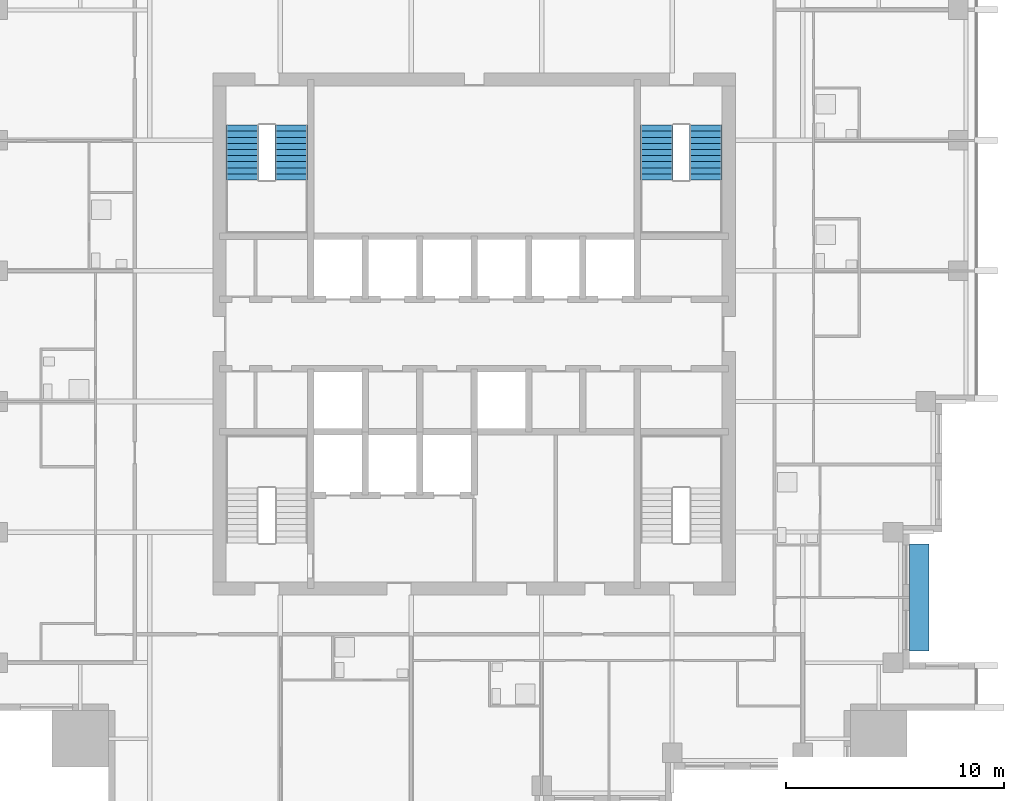
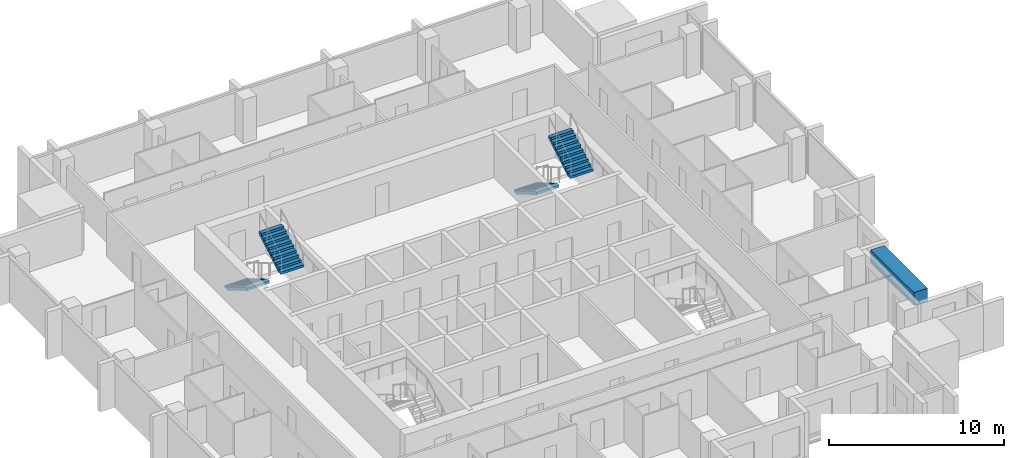
# One storey, part 8 of 10: 4 stair flights, 1 discrete accessory, 2 elements without a shape of their own.
"""IFC4 building model written with IfcOpenShell, lengths in metres."""

import ifcopenshell
import ifcopenshell.guid

model = None  # the IFC model being written
_history = None  # IfcOwnerHistory: only IFC2X3 demands one
_inside = {}  # id of a spatial element -> (the spatial element, [elements in it])
_under = {}  # id of a project, library or spatial element -> (it, [spatial elements below it])
_declared = {}  # id of a project -> (the project, [libraries it declares])
_typed = {}  # id of a type object -> (the type object, [elements of that type])
_made_of = {}  # id of a material, layer set ... -> (it, [elements and type objects made of it])


def new_model(schema):
    """Start an empty IFC model of exactly this schema.

    Asked for "IFC4X3", IfcOpenShell would pick the latest addendum, in which some entities
    have other attributes; the version numbers below select the first issue.
    IFC2X3 requires an IfcOwnerHistory on every rooted entity: one is made here for all.
    """
    global model, _history
    if schema == "IFC4X3":
        model = ifcopenshell.file(schema_version=(4, 3, 0, 0))
    else:
        model = ifcopenshell.file(schema=schema)
    _inside.clear()
    _under.clear()
    _declared.clear()
    _typed.clear()
    _made_of.clear()
    _history = None
    if model.schema == "IFC2X3":
        org = make("IfcOrganization", Name="unknown")
        user = make(
            "IfcPersonAndOrganization",
            ThePerson=make("IfcPerson", FamilyName="unknown"),
            TheOrganization=org,
        )
        app = make(
            "IfcApplication",
            ApplicationDeveloper=org,
            Version="unknown",
            ApplicationFullName="unknown",
            ApplicationIdentifier="unknown",
        )
        _history = make(
            "IfcOwnerHistory",
            OwningUser=user,
            OwningApplication=app,
            ChangeAction="ADDED",
            CreationDate=0,
        )
    return model


def make(cls, **values):
    """One entity of the class cls with the attributes given. An attribute that is None is left unset."""
    return model.create_entity(
        cls, **{name: value for name, value in values.items() if value is not None}
    )


def rooted(cls, **values):
    """An entity with a GlobalId (a new one), such as an element, a storey or a relation."""
    return make(cls, GlobalId=ifcopenshell.guid.new(), OwnerHistory=_history, **values)


def si_unit(unit_type, name, prefix=None):
    """IfcSIUnit, for example si_unit("LENGTHUNIT", "METRE", prefix="MILLI")."""
    return make("IfcSIUnit", UnitType=unit_type, Prefix=prefix, Name=name)


def assignment(units):
    """IfcUnitAssignment: the units of a project."""
    return None if units is None else make("IfcUnitAssignment", Units=units)


def point(xyz):
    """IfcCartesianPoint."""
    return None if xyz is None else make("IfcCartesianPoint", Coordinates=xyz)


def direction(xyz):
    """IfcDirection."""
    return None if xyz is None else make("IfcDirection", DirectionRatios=xyz)


def frame(location, z_axis=None, x_axis=None):
    """IfcAxis2Placement3D, a coordinate frame: its origin and axes. An axis left out is left unset."""
    return make(
        "IfcAxis2Placement3D",
        Location=point(location),
        Axis=direction(z_axis),
        RefDirection=direction(x_axis),
    )


def frame_2d(location, x_axis=None):
    """IfcAxis2Placement2D, a coordinate frame in the plane: its origin and x axis."""
    return make(
        "IfcAxis2Placement2D", Location=point(location), RefDirection=direction(x_axis)
    )


def origin():
    """The frame at (0, 0, 0) with its axes left unset."""
    return frame((0.0, 0.0, 0.0))


def origin_2d():
    """The frame at (0, 0) in the plane with its x axis left unset."""
    return frame_2d((0.0, 0.0))


def place(relative_to, where):
    """IfcLocalPlacement: puts the frame where relative to a parent placement (None: the world)."""
    return make(
        "IfcLocalPlacement", PlacementRelTo=relative_to, RelativePlacement=where
    )


def context(
    kind, dimensions, precision=None, world=None, true_north=None, identifier=None
):
    """IfcGeometricRepresentationContext, for example the 3D "Model" context."""
    return make(
        "IfcGeometricRepresentationContext",
        ContextIdentifier=identifier,
        ContextType=kind,
        CoordinateSpaceDimension=dimensions,
        Precision=precision,
        WorldCoordinateSystem=world,
        TrueNorth=true_north,
    )


def subcontext(parent, identifier, kind, view, scale=None):
    """IfcGeometricRepresentationSubContext, for example "Body" below "Model"."""
    return make(
        "IfcGeometricRepresentationSubContext",
        ContextIdentifier=identifier,
        ContextType=kind,
        ParentContext=parent,
        TargetScale=scale,
        TargetView=view,
    )


def project(units=None, contexts=None):
    """IfcProject with its units and contexts."""
    return rooted(
        "IfcProject",
        Name="project",
        RepresentationContexts=contexts,
        UnitsInContext=assignment(units),
    )


def spatial(cls, under=None, at=None, **own):
    """A site, building, storey or space (cls), placed at a placement, below another one or the project."""
    s = rooted(cls, ObjectPlacement=at, **own)
    if under is not None:
        _under.setdefault(under.id(), (under, []))[1].append(s)
    return s


def polyline(points):
    """IfcPolyline through the points."""
    return make("IfcPolyline", Points=[point(p) for p in points])


def profile(cls, at=None, kind="AREA", **sizes):
    """A parametric profile (cls). Its sizes go by their IFC names, for example OverallWidth=200.0."""
    return make(cls, ProfileType=kind, Position=at, **sizes)


def rectangle(**sizes):
    """IfcRectangleProfileDef."""
    return profile("IfcRectangleProfileDef", **sizes)


def outline(outer, holes=None, kind="AREA"):
    """IfcArbitraryClosedProfileDef: a profile drawn as a closed curve; with holes, ...WithVoids."""
    if holes is None:
        return make("IfcArbitraryClosedProfileDef", ProfileType=kind, OuterCurve=outer)
    return make(
        "IfcArbitraryProfileDefWithVoids",
        ProfileType=kind,
        OuterCurve=outer,
        InnerCurves=holes,
    )


def extrude(swept, where, along, depth):
    """IfcExtrudedAreaSolid: the profile swept, set in the frame where, extruded along a direction by depth."""
    return make(
        "IfcExtrudedAreaSolid",
        SweptArea=swept,
        Position=where,
        ExtrudedDirection=direction(along),
        Depth=depth,
    )


def shape(context_of_items, identifier, shape_type, items):
    """IfcShapeRepresentation: the items that make up one representation, for example the "Body"."""
    return make(
        "IfcShapeRepresentation",
        ContextOfItems=context_of_items,
        RepresentationIdentifier=identifier,
        RepresentationType=shape_type,
        Items=items,
    )


def material(Name=None, Category=None):
    """IfcMaterial."""
    return make("IfcMaterial", Name=Name, Category=Category)


def made_of(thing, what):
    """Note that an element or type object is made of a material, layer set ...; save() writes the relation."""
    if what is not None:
        _made_of.setdefault(what.id(), (what, []))[1].append(thing)
    return thing


def type_object(cls, material=None, **own):
    """A type object (cls), such as IfcWallType, which elements share."""
    return made_of(rooted(cls, **own), material)


def element(
    cls,
    number,
    at=None,
    inside=None,
    cuts=None,
    type_object=None,
    material=None,
    context=None,
    identifier="Body",
    shape_type=None,
    held_by="IfcProductDefinitionShape",
    body=None,
    shapes=None,
    **own,
):
    """One element of the class cls, such as IfcWall. Its Tag is "e" and its number.

    at: its placement. inside: the storey or other place that contains it. cuts: it is an
    opening in that element (IfcRelVoidsElement). A single representation is given by context,
    identifier, shape_type and body (its items); several are given by shapes. held_by: the class
    of the entity that holds the representations. save() writes the other relations.
    """
    e = rooted(cls, Tag="e%d" % number, ObjectPlacement=at, **own)
    if body is not None:
        shapes = [shape(context, identifier, shape_type, body)]
    if shapes is not None:
        e.Representation = make(held_by, Representations=shapes)
    if inside is not None:
        _inside.setdefault(inside.id(), (inside, []))[1].append(e)
    if cuts is not None:
        rooted(
            "IfcRelVoidsElement", RelatingBuildingElement=cuts, RelatedOpeningElement=e
        )
    if type_object is not None:
        _typed.setdefault(type_object.id(), (type_object, []))[1].append(e)
    return made_of(e, material)


def aggregate(whole, parts):
    """IfcRelAggregates: a whole, such as a stair, and the parts it consists of."""
    return rooted("IfcRelAggregates", RelatingObject=whole, RelatedObjects=parts)


def save(model, path):
    """Write the relations noted so far, then the file.

    IfcRelAggregates (storeys below a building ...), IfcRelContainedInSpatialStructure (elements
    in a storey), IfcRelDefinesByType, IfcRelAssociatesMaterial and IfcRelDeclares: one each for
    every whole, place, type object, material and project.
    """
    for whole, parts in _under.values():
        aggregate(whole, parts)
    for where, things in _inside.values():
        rooted(
            "IfcRelContainedInSpatialStructure",
            RelatedElements=things,
            RelatingStructure=where,
        )
    for kind, things in _typed.values():
        rooted("IfcRelDefinesByType", RelatedObjects=things, RelatingType=kind)
    for what, things in _made_of.values():
        rooted("IfcRelAssociatesMaterial", RelatedObjects=things, RelatingMaterial=what)
    for by, libraries in _declared.values():
        rooted("IfcRelDeclares", RelatingContext=by, RelatedDefinitions=libraries)
    model.write(path)


model = new_model("IFC4")

# Units and contexts
model_context = context("Model", 3, precision=1e-05, world=origin(), true_north=direction((0.0, 1.0)))
body_context = subcontext(model_context, "Body", "Model", "MODEL_VIEW")
ifc_project = project(units=[si_unit("LENGTHUNIT", "METRE"), si_unit("AREAUNIT", "SQUARE_METRE"), si_unit("VOLUMEUNIT", "CUBIC_METRE"), si_unit("PLANEANGLEUNIT", "RADIAN"), si_unit("MASSUNIT", "GRAM", prefix="KILO")], contexts=[model_context])

# Site, building, storey
site_placement = place(None, origin())
site = spatial("IfcSite", under=ifc_project, at=site_placement, CompositionType="ELEMENT")
building_placement = place(site_placement, origin())
building = spatial("IfcBuilding", under=site, at=building_placement, Name="Amberfall Residences", CompositionType="ELEMENT")
storey_placement = place(building_placement, frame((0.0, 0.0, 190.300048828125)))
storey = spatial("IfcBuildingStorey", under=building, at=storey_placement, Name="L50", CompositionType="ELEMENT", Elevation=190.300048828125)

# Stair, stair flights
ifc_material = material(Name="Concrete C40", Category="concrete")
stair_type = type_object("IfcStairType", Name="Exit stair 20 risers 165.0 mm", PredefinedType="HALF_TURN_STAIR", material=ifc_material)
stair_1_placement = place(storey_placement, origin())
stair_1 = element("IfcStair", 1, at=stair_1_placement, inside=storey, type_object=stair_type, Name="L50 Exit stair 3", PredefinedType="HALF_TURN_STAIR")
stair_flight_type = type_object("IfcStairFlightType", Name="Stair flight 10 risers 165.0 mm", PredefinedType="STRAIGHT", material=ifc_material)
stair_flight_1_placement = place(storey_placement, frame((82.89990234375, 55.10009765625, 0.0), z_axis=(0.0, 0.0, 1.0), x_axis=(0.0, -1.0, 0.0)))
stair_flight_1 = element("IfcStairFlight", 2, at=stair_flight_1_placement, type_object=stair_flight_type, Name="ST3 flight 1", NumberOfRisers=10, NumberOfTreads=9, PredefinedType="STRAIGHT", RiserHeight=0.165, TreadLength=0.28, context=body_context, shape_type="SweptSolid", body=[
    extrude(outline(polyline([(0.0, 0.0), (0.0, 0.1650390625), (0.280029296875, 0.1650390625), (0.280029296875, 0.330078125), (0.56005859375, 0.330078125), (0.56005859375, 0.4951171875), (0.840087890625, 0.4951171875), (0.840087890625, 0.659912109375), (1.1201171875, 0.659912109375), (1.1201171875, 0.824951171875), (1.39990234375, 0.824951171875), (1.39990234375, 0.989990234375), (1.679931640625, 0.989990234375), (1.679931640625, 1.155029296875), (1.9599609375, 1.155029296875), (1.9599609375, 1.320068359375), (2.239990234375, 1.320068359375), (2.239990234375, 1.485107421875), (2.52001953125, 1.485107421875), (2.52001953125, 1.64990234375), (2.52001953125, 1.31103515625), (0.295166015625, 0.0), (0.0, 0.0)])), frame((0.0, 0.75, 0.0), z_axis=(0.0, -1.0, 0.0), x_axis=(1.0, 0.0, 0.0)), (0.0, 0.0, 1.0), 1.5),
])
stair_flight_2_placement = place(storey_placement, frame((85.14990234375, 52.580078125, 1.64990234375), z_axis=(0.0, 0.0, 1.0), x_axis=(0.0, 1.0, 0.0)))
stair_flight_2 = element("IfcStairFlight", 3, at=stair_flight_2_placement, type_object=stair_flight_type, Name="ST3 flight 2", NumberOfRisers=10, NumberOfTreads=9, PredefinedType="STRAIGHT", RiserHeight=0.165, TreadLength=0.28, context=body_context, shape_type="SweptSolid", body=[
    extrude(outline(polyline([(0.0, 0.0), (0.0, 0.1650390625), (0.280029296875, 0.1650390625), (0.280029296875, 0.330078125), (0.56005859375, 0.330078125), (0.56005859375, 0.4951171875), (0.840087890625, 0.4951171875), (0.840087890625, 0.659912109375), (1.1201171875, 0.659912109375), (1.1201171875, 0.824951171875), (1.39990234375, 0.824951171875), (1.39990234375, 0.989990234375), (1.679931640625, 0.989990234375), (1.679931640625, 1.155029296875), (1.9599609375, 1.155029296875), (1.9599609375, 1.320068359375), (2.239990234375, 1.320068359375), (2.239990234375, 1.485107421875), (2.52001953125, 1.485107421875), (2.52001953125, 1.64990234375), (2.52001953125, 1.31103515625), (0.295166015625, 0.0), (0.0, 0.0)])), frame((0.0, 0.75, 0.0), z_axis=(0.0, -1.0, 0.0), x_axis=(1.0, 0.0, 0.0)), (0.0, 0.0, 1.0), 1.5),
])
aggregate(stair_1, [stair_flight_1, stair_flight_2])

stair_2_placement = place(storey_placement, origin())
stair_2 = element("IfcStair", 4, at=stair_2_placement, inside=storey, type_object=stair_type, Name="L50 Exit stair 4", PredefinedType="HALF_TURN_STAIR")
stair_flight_3_placement = place(storey_placement, frame((63.85009765625, 55.10009765625, 0.0), z_axis=(0.0, 0.0, 1.0), x_axis=(0.0, -1.0, 0.0)))
stair_flight_3 = element("IfcStairFlight", 5, at=stair_flight_3_placement, type_object=stair_flight_type, Name="ST3 flight 1", NumberOfRisers=10, NumberOfTreads=9, PredefinedType="STRAIGHT", RiserHeight=0.165, TreadLength=0.28, context=body_context, shape_type="SweptSolid", body=[
    extrude(outline(polyline([(0.0, 0.0), (0.0, 0.1650390625), (0.280029296875, 0.1650390625), (0.280029296875, 0.330078125), (0.56005859375, 0.330078125), (0.56005859375, 0.4951171875), (0.840087890625, 0.4951171875), (0.840087890625, 0.659912109375), (1.1201171875, 0.659912109375), (1.1201171875, 0.824951171875), (1.39990234375, 0.824951171875), (1.39990234375, 0.989990234375), (1.679931640625, 0.989990234375), (1.679931640625, 1.155029296875), (1.9599609375, 1.155029296875), (1.9599609375, 1.320068359375), (2.239990234375, 1.320068359375), (2.239990234375, 1.485107421875), (2.52001953125, 1.485107421875), (2.52001953125, 1.64990234375), (2.52001953125, 1.31103515625), (0.295166015625, 0.0), (0.0, 0.0)])), frame((0.0, 0.75, 0.0), z_axis=(0.0, -1.0, 0.0), x_axis=(1.0, 0.0, 0.0)), (0.0, 0.0, 1.0), 1.5),
])
stair_flight_4_placement = place(storey_placement, frame((66.10009765625, 52.580078125, 1.64990234375), z_axis=(0.0, 0.0, 1.0), x_axis=(0.0, 1.0, 0.0)))
stair_flight_4 = element("IfcStairFlight", 6, at=stair_flight_4_placement, type_object=stair_flight_type, Name="ST3 flight 2", NumberOfRisers=10, NumberOfTreads=9, PredefinedType="STRAIGHT", RiserHeight=0.165, TreadLength=0.28, context=body_context, shape_type="SweptSolid", body=[
    extrude(outline(polyline([(0.0, 0.0), (0.0, 0.1650390625), (0.280029296875, 0.1650390625), (0.280029296875, 0.330078125), (0.56005859375, 0.330078125), (0.56005859375, 0.4951171875), (0.840087890625, 0.4951171875), (0.840087890625, 0.659912109375), (1.1201171875, 0.659912109375), (1.1201171875, 0.824951171875), (1.39990234375, 0.824951171875), (1.39990234375, 0.989990234375), (1.679931640625, 0.989990234375), (1.679931640625, 1.155029296875), (1.9599609375, 1.155029296875), (1.9599609375, 1.320068359375), (2.239990234375, 1.320068359375), (2.239990234375, 1.485107421875), (2.52001953125, 1.485107421875), (2.52001953125, 1.64990234375), (2.52001953125, 1.31103515625), (0.295166015625, 0.0), (0.0, 0.0)])), frame((0.0, 0.75, 0.0), z_axis=(0.0, -1.0, 0.0), x_axis=(1.0, 0.0, 0.0)), (0.0, 0.0, 1.0), 1.5),
])
aggregate(stair_2, [stair_flight_3, stair_flight_4])

# Discrete accessory
discrete_accessory_placement = place(storey_placement, frame((94.949951171875, 33.39990234375, 2.39990234375), z_axis=(0.0, 0.0, 1.0), x_axis=(0.0, 1.0, 0.0)))
element("IfcDiscreteAccessory", 7, at=discrete_accessory_placement, inside=storey, Name="Planter box L51 E3", ObjectType="PLANTER BOX", PredefinedType="USERDEFINED", context=body_context, shape_type="SweptSolid", body=[
    extrude(rectangle(XDim=4.919921875, YDim=0.89990234375, at=origin_2d()), origin(), (0.0, 0.0, 1.0), 0.89990234375),
])

save(model, "model.ifc")
